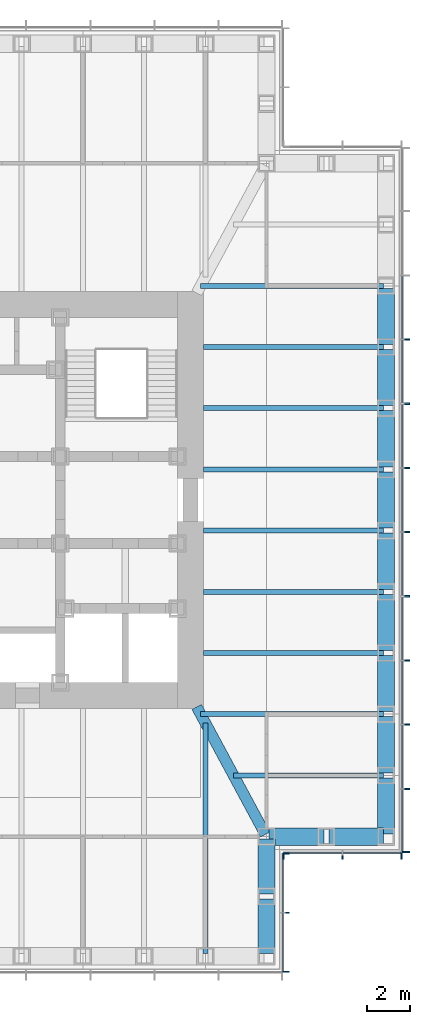
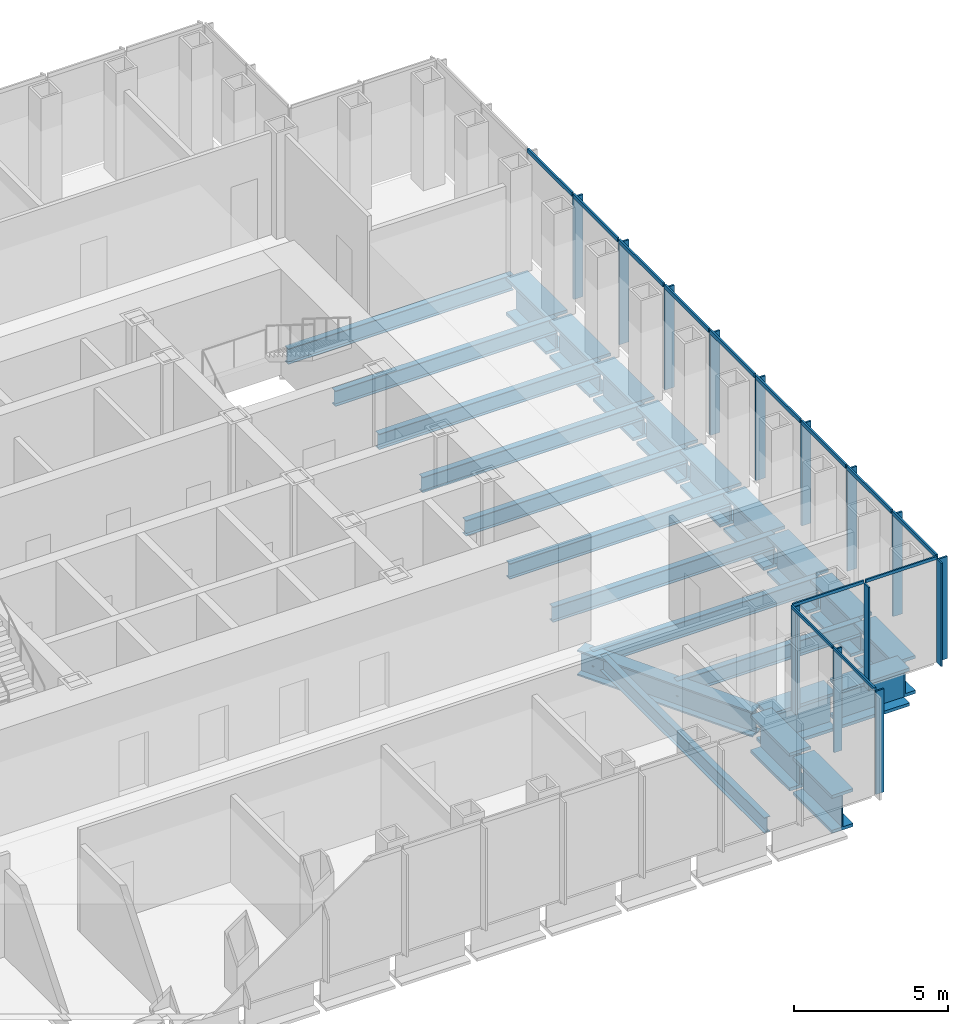
# One storey, part 4 of 16: 28 members, 24 beams, 3 elements without a shape of their own.
"""IFC4 building model written with IfcOpenShell, lengths in metres."""

from ifc_helpers import new_model, si_unit, direction, frame, origin, origin_2d, place, context, subcontext, project, spatial, rectangle, i_section, extrude, material, material_profile, profile_set, type_object, element, aggregate, save


model = new_model("IFC4")

# Units and contexts
model_context = context("Model", 3, precision=1e-05, world=origin(), true_north=direction((0.0, 1.0)))
body_context = subcontext(model_context, "Body", "Model", "MODEL_VIEW")
ifc_project = project(units=[si_unit("LENGTHUNIT", "METRE"), si_unit("AREAUNIT", "SQUARE_METRE"), si_unit("VOLUMEUNIT", "CUBIC_METRE"), si_unit("PLANEANGLEUNIT", "RADIAN"), si_unit("MASSUNIT", "GRAM", prefix="KILO")], contexts=[model_context])

# Site, building, storey
site_placement = place(None, origin())
site = spatial("IfcSite", under=ifc_project, at=site_placement, CompositionType="ELEMENT")
building_placement = place(site_placement, origin())
building = spatial("IfcBuilding", under=site, at=building_placement, Name="Daluyong Arena Tower", CompositionType="ELEMENT")
storey_placement = place(building_placement, frame((0.0, 0.0, 219.10009765625)))
storey = spatial("IfcBuildingStorey", under=building, at=storey_placement, Name="L49", CompositionType="ELEMENT", Elevation=219.10009765625)

# Curtain wall, members
ifc_material_1 = material(Name="Bronze anodised aluminium and glass", Category="aluminium")
curtain_wall_type_1 = type_object("IfcCurtainWallType", Name="Curtain wall CW3", PredefinedType="USERDEFINED", material=ifc_material_1)
curtain_wall_1_placement = place(storey_placement, origin())
curtain_wall_1 = element("IfcCurtainWall", 1, at=curtain_wall_1_placement, inside=storey, type_object=curtain_wall_type_1, Name="curtain wall L49 E", ObjectType="UNITISED CURTAIN WALL", PredefinedType="USERDEFINED")
ifc_material_2 = material(Name="Bronze anodised aluminium fin", Category="aluminium")
ifc_material_profile_1 = material_profile(ifc_material_2, rectangle(XDim=0.35009765625, YDim=0.070068359375, at=origin_2d()))
ifc_profile_set_1 = profile_set([ifc_material_profile_1], Name="Bronze anodised aluminium fin")
member_type_1 = type_object("IfcMemberType", Name="CW3 bronze fin 350x70", PredefinedType="MULLION", material=ifc_profile_set_1)
member_1_placement = place(storey_placement, frame((77.925048828125, 63.784912109375, 0.0), z_axis=(0.0, 0.0, 1.0), x_axis=(-1.0, 0.0, 0.0)))
member_1 = element("IfcMember", 2, at=member_1_placement, type_object=member_type_1, Name="curtain wall L49 E fin 1", PredefinedType="MULLION", context=body_context, shape_type="SweptSolid", body=[
    extrude(rectangle(XDim=0.35009765625, YDim=0.070068359375, at=origin_2d()), origin(), (0.0, 0.0, 1.0), 4.039794921875),
])
member_2_placement = place(storey_placement, frame((77.925048828125, 66.70458984375, 0.0), z_axis=(0.0, 0.0, 1.0), x_axis=(-1.0, 0.0, 0.0)))
member_2 = element("IfcMember", 3, at=member_2_placement, type_object=member_type_1, Name="curtain wall L49 E fin 2", PredefinedType="MULLION", context=body_context, shape_type="SweptSolid", body=[
    extrude(rectangle(XDim=0.35009765625, YDim=0.070068359375, at=origin_2d()), origin(), (0.0, 0.0, 1.0), 4.039794921875),
])
member_3_placement = place(storey_placement, frame((77.925048828125, 69.6591796875, 0.0), z_axis=(0.0, 0.0, 1.0), x_axis=(-1.0, 0.0, 0.0)))
member_3 = element("IfcMember", 4, at=member_3_placement, type_object=member_type_1, Name="curtain wall L49 E fin 3", PredefinedType="MULLION", context=body_context, shape_type="SweptSolid", body=[
    extrude(rectangle(XDim=0.35009765625, YDim=0.070068359375, at=origin_2d()), origin(), (0.0, 0.0, 1.0), 4.039794921875),
])
member_4_placement = place(storey_placement, frame((77.925048828125, 72.613525390625, 0.0), z_axis=(0.0, 0.0, 1.0), x_axis=(-1.0, 0.0, 0.0)))
member_4 = element("IfcMember", 5, at=member_4_placement, type_object=member_type_1, Name="curtain wall L49 E fin 4", PredefinedType="MULLION", context=body_context, shape_type="SweptSolid", body=[
    extrude(rectangle(XDim=0.35009765625, YDim=0.070068359375, at=origin_2d()), origin(), (0.0, 0.0, 1.0), 4.039794921875),
])
member_5_placement = place(storey_placement, frame((77.925048828125, 75.568115234375, 0.0), z_axis=(0.0, 0.0, 1.0), x_axis=(-1.0, 0.0, 0.0)))
member_5 = element("IfcMember", 6, at=member_5_placement, type_object=member_type_1, Name="curtain wall L49 E fin 5", PredefinedType="MULLION", context=body_context, shape_type="SweptSolid", body=[
    extrude(rectangle(XDim=0.35009765625, YDim=0.070068359375, at=origin_2d()), origin(), (0.0, 0.0, 1.0), 4.039794921875),
])
member_6_placement = place(storey_placement, frame((77.925048828125, 78.522705078125, 0.0), z_axis=(0.0, 0.0, 1.0), x_axis=(-1.0, 0.0, 0.0)))
member_6 = element("IfcMember", 7, at=member_6_placement, type_object=member_type_1, Name="curtain wall L49 E fin 6", PredefinedType="MULLION", context=body_context, shape_type="SweptSolid", body=[
    extrude(rectangle(XDim=0.35009765625, YDim=0.070068359375, at=origin_2d()), origin(), (0.0, 0.0, 1.0), 4.039794921875),
])
member_7_placement = place(storey_placement, frame((77.925048828125, 81.477294921875, 0.0), z_axis=(0.0, 0.0, 1.0), x_axis=(-1.0, 0.0, 0.0)))
member_7 = element("IfcMember", 8, at=member_7_placement, type_object=member_type_1, Name="curtain wall L49 E fin 7", PredefinedType="MULLION", context=body_context, shape_type="SweptSolid", body=[
    extrude(rectangle(XDim=0.35009765625, YDim=0.070068359375, at=origin_2d()), origin(), (0.0, 0.0, 1.0), 4.039794921875),
])
member_8_placement = place(storey_placement, frame((77.925048828125, 84.431884765625, 0.0), z_axis=(0.0, 0.0, 1.0), x_axis=(-1.0, 0.0, 0.0)))
member_8 = element("IfcMember", 9, at=member_8_placement, type_object=member_type_1, Name="curtain wall L49 E fin 8", PredefinedType="MULLION", context=body_context, shape_type="SweptSolid", body=[
    extrude(rectangle(XDim=0.35009765625, YDim=0.070068359375, at=origin_2d()), origin(), (0.0, 0.0, 1.0), 4.039794921875),
])
member_9_placement = place(storey_placement, frame((77.925048828125, 87.386474609375, 0.0), z_axis=(0.0, 0.0, 1.0), x_axis=(-1.0, 0.0, 0.0)))
member_9 = element("IfcMember", 10, at=member_9_placement, type_object=member_type_1, Name="curtain wall L49 E fin 9", PredefinedType="MULLION", context=body_context, shape_type="SweptSolid", body=[
    extrude(rectangle(XDim=0.35009765625, YDim=0.070068359375, at=origin_2d()), origin(), (0.0, 0.0, 1.0), 4.039794921875),
])
ifc_material_3 = material(Name="Bronze anodised aluminium", Category="aluminium")
ifc_material_profile_2 = material_profile(ifc_material_3, rectangle(XDim=0.070068359375, YDim=0.159912109375, at=origin_2d()))
ifc_profile_set_2 = profile_set([ifc_material_profile_2], Name="Bronze anodised aluminium")
member_type_2 = type_object("IfcMemberType", Name="CW3 stack transom 160x70", PredefinedType="USERDEFINED", material=ifc_profile_set_2)
member_10_placement = place(storey_placement, frame((77.75, 63.820068359375, 4.119873046875), z_axis=(0.0, 1.0, 0.0), x_axis=(-1.0, 0.0, 0.0)))
member_10 = element("IfcMember", 11, at=member_10_placement, type_object=member_type_2, Name="curtain wall L49 E transom 1", ObjectType="TRANSOM", PredefinedType="USERDEFINED", context=body_context, shape_type="SweptSolid", body=[
    extrude(rectangle(XDim=0.070068359375, YDim=0.159912109375, at=origin_2d()), origin(), (0.0, 0.0, 1.0), 2.849365234375),
])
member_11_placement = place(storey_placement, frame((77.75, 66.739501953125, 4.119873046875), z_axis=(0.0, 1.0, 0.0), x_axis=(-1.0, 0.0, 0.0)))
member_11 = element("IfcMember", 12, at=member_11_placement, type_object=member_type_2, Name="curtain wall L49 E transom 2", ObjectType="TRANSOM", PredefinedType="USERDEFINED", context=body_context, shape_type="SweptSolid", body=[
    extrude(rectangle(XDim=0.070068359375, YDim=0.159912109375, at=origin_2d()), origin(), (0.0, 0.0, 1.0), 2.884521484375),
])
member_12_placement = place(storey_placement, frame((77.75, 69.694091796875, 4.119873046875), z_axis=(0.0, 1.0, 0.0), x_axis=(-1.0, 0.0, 0.0)))
member_12 = element("IfcMember", 13, at=member_12_placement, type_object=member_type_2, Name="curtain wall L49 E transom 3", ObjectType="TRANSOM", PredefinedType="USERDEFINED", context=body_context, shape_type="SweptSolid", body=[
    extrude(rectangle(XDim=0.070068359375, YDim=0.159912109375, at=origin_2d()), origin(), (0.0, 0.0, 1.0), 2.884521484375),
])
member_13_placement = place(storey_placement, frame((77.75, 72.648681640625, 4.119873046875), z_axis=(0.0, 1.0, 0.0), x_axis=(-1.0, 0.0, 0.0)))
member_13 = element("IfcMember", 14, at=member_13_placement, type_object=member_type_2, Name="curtain wall L49 E transom 4", ObjectType="TRANSOM", PredefinedType="USERDEFINED", context=body_context, shape_type="SweptSolid", body=[
    extrude(rectangle(XDim=0.070068359375, YDim=0.159912109375, at=origin_2d()), origin(), (0.0, 0.0, 1.0), 2.884521484375),
])
member_14_placement = place(storey_placement, frame((77.75, 75.603271484375, 4.119873046875), z_axis=(0.0, 1.0, 0.0), x_axis=(-1.0, 0.0, 0.0)))
member_14 = element("IfcMember", 15, at=member_14_placement, type_object=member_type_2, Name="curtain wall L49 E transom 5", ObjectType="TRANSOM", PredefinedType="USERDEFINED", context=body_context, shape_type="SweptSolid", body=[
    extrude(rectangle(XDim=0.070068359375, YDim=0.159912109375, at=origin_2d()), origin(), (0.0, 0.0, 1.0), 2.884521484375),
])
member_15_placement = place(storey_placement, frame((77.75, 78.5576171875, 4.119873046875), z_axis=(0.0, 1.0, 0.0), x_axis=(-1.0, 0.0, 0.0)))
member_15 = element("IfcMember", 16, at=member_15_placement, type_object=member_type_2, Name="curtain wall L49 E transom 6", ObjectType="TRANSOM", PredefinedType="USERDEFINED", context=body_context, shape_type="SweptSolid", body=[
    extrude(rectangle(XDim=0.070068359375, YDim=0.159912109375, at=origin_2d()), origin(), (0.0, 0.0, 1.0), 2.884765625),
])
member_16_placement = place(storey_placement, frame((77.75, 81.51220703125, 4.119873046875), z_axis=(0.0, 1.0, 0.0), x_axis=(-1.0, 0.0, 0.0)))
member_16 = element("IfcMember", 17, at=member_16_placement, type_object=member_type_2, Name="curtain wall L49 E transom 7", ObjectType="TRANSOM", PredefinedType="USERDEFINED", context=body_context, shape_type="SweptSolid", body=[
    extrude(rectangle(XDim=0.070068359375, YDim=0.159912109375, at=origin_2d()), origin(), (0.0, 0.0, 1.0), 2.884521484375),
])
member_17_placement = place(storey_placement, frame((77.75, 84.466796875, 4.119873046875), z_axis=(0.0, 1.0, 0.0), x_axis=(-1.0, 0.0, 0.0)))
member_17 = element("IfcMember", 18, at=member_17_placement, type_object=member_type_2, Name="curtain wall L49 E transom 8", ObjectType="TRANSOM", PredefinedType="USERDEFINED", context=body_context, shape_type="SweptSolid", body=[
    extrude(rectangle(XDim=0.070068359375, YDim=0.159912109375, at=origin_2d()), origin(), (0.0, 0.0, 1.0), 2.884521484375),
])
member_18_placement = place(storey_placement, frame((77.75, 87.42138671875, 4.119873046875), z_axis=(0.0, 1.0, 0.0), x_axis=(-1.0, 0.0, 0.0)))
member_18 = element("IfcMember", 19, at=member_18_placement, type_object=member_type_2, Name="curtain wall L49 E transom 9", ObjectType="TRANSOM", PredefinedType="USERDEFINED", context=body_context, shape_type="SweptSolid", body=[
    extrude(rectangle(XDim=0.070068359375, YDim=0.159912109375, at=origin_2d()), origin(), (0.0, 0.0, 1.0), 2.884521484375),
])
aggregate(curtain_wall_1, [member_1, member_2, member_3, member_4, member_5, member_6, member_7, member_8, member_9, member_10, member_11, member_12, member_13, member_14, member_15, member_16, member_17, member_18])

ifc_material_4 = material(Name="Bronze anodised aluminium and glass", Category="aluminium")
curtain_wall_type_2 = type_object("IfcCurtainWallType", Name="Curtain wall CW7", PredefinedType="USERDEFINED", material=ifc_material_4)
curtain_wall_2_placement = place(storey_placement, origin())
curtain_wall_2 = element("IfcCurtainWall", 20, at=curtain_wall_2_placement, inside=storey, type_object=curtain_wall_type_2, Name="curtain wall L49 SE-E", ObjectType="UNITISED CURTAIN WALL", PredefinedType="USERDEFINED")
ifc_material_5 = material(Name="Bronze anodised aluminium fin", Category="aluminium")
ifc_material_profile_3 = material_profile(ifc_material_5, rectangle(XDim=0.300048828125, YDim=0.06005859375, at=origin_2d()))
ifc_profile_set_3 = profile_set([ifc_material_profile_3], Name="Bronze anodised aluminium fin")
member_type_3 = type_object("IfcMemberType", Name="CW7 bronze fin 300x60", PredefinedType="MULLION", material=ifc_profile_set_3)
member_19_placement = place(storey_placement, frame((72.39990234375, 58.280029296875, 0.0), z_axis=(0.0, 0.0, 1.0), x_axis=(-1.0, 0.0, 0.0)))
member_19 = element("IfcMember", 21, at=member_19_placement, type_object=member_type_3, Name="curtain wall L49 SE-E fin 1", PredefinedType="MULLION", context=body_context, shape_type="SweptSolid", body=[
    extrude(rectangle(XDim=0.300048828125, YDim=0.06005859375, at=origin_2d()), origin(), (0.0, 0.0, 1.0), 4.079833984375),
])
member_20_placement = place(storey_placement, frame((72.39990234375, 61.0, 0.0), z_axis=(0.0, 0.0, 1.0), x_axis=(-1.0, 0.0, 0.0)))
member_20 = element("IfcMember", 22, at=member_20_placement, type_object=member_type_3, Name="curtain wall L49 SE-E fin 2", PredefinedType="MULLION", context=body_context, shape_type="SweptSolid", body=[
    extrude(rectangle(XDim=0.300048828125, YDim=0.06005859375, at=origin_2d()), origin(), (0.0, 0.0, 1.0), 4.079833984375),
])
member_21_placement = place(storey_placement, frame((72.39990234375, 63.719970703125, 0.0), z_axis=(0.0, 0.0, 1.0), x_axis=(-1.0, 0.0, 0.0)))
member_21 = element("IfcMember", 23, at=member_21_placement, type_object=member_type_3, Name="curtain wall L49 SE-E fin 3", PredefinedType="MULLION", context=body_context, shape_type="SweptSolid", body=[
    extrude(rectangle(XDim=0.300048828125, YDim=0.06005859375, at=origin_2d()), origin(), (0.0, 0.0, 1.0), 4.079833984375),
])

curtain_wall_3_placement = place(storey_placement, origin())
curtain_wall_3 = element("IfcCurtainWall", 24, at=curtain_wall_3_placement, inside=storey, type_object=curtain_wall_type_2, Name="curtain wall L49 SE-S", ObjectType="UNITISED CURTAIN WALL", PredefinedType="USERDEFINED")
member_22_placement = place(storey_placement, frame((72.280029296875, 63.60009765625, 0.0), z_axis=(0.0, 0.0, 1.0), x_axis=(0.0, 1.0, 0.0)))
member_22 = element("IfcMember", 25, at=member_22_placement, type_object=member_type_3, Name="curtain wall L49 SE-S fin 1", PredefinedType="MULLION", context=body_context, shape_type="SweptSolid", body=[
    extrude(rectangle(XDim=0.300048828125, YDim=0.06005859375, at=origin_2d()), origin(), (0.0, 0.0, 1.0), 4.079833984375),
])
member_23_placement = place(storey_placement, frame((75.0, 63.60009765625, 0.0), z_axis=(0.0, 0.0, 1.0), x_axis=(0.0, 1.0, 0.0)))
member_23 = element("IfcMember", 26, at=member_23_placement, type_object=member_type_3, Name="curtain wall L49 SE-S fin 2", PredefinedType="MULLION", context=body_context, shape_type="SweptSolid", body=[
    extrude(rectangle(XDim=0.300048828125, YDim=0.06005859375, at=origin_2d()), origin(), (0.0, 0.0, 1.0), 4.079833984375),
])
member_24_placement = place(storey_placement, frame((77.719970703125, 63.60009765625, 0.0), z_axis=(0.0, 0.0, 1.0), x_axis=(0.0, 1.0, 0.0)))
member_24 = element("IfcMember", 27, at=member_24_placement, type_object=member_type_3, Name="curtain wall L49 SE-S fin 3", PredefinedType="MULLION", context=body_context, shape_type="SweptSolid", body=[
    extrude(rectangle(XDim=0.300048828125, YDim=0.06005859375, at=origin_2d()), origin(), (0.0, 0.0, 1.0), 4.079833984375),
])

# Member
ifc_material_6 = material(Name="Bronze anodised aluminium", Category="aluminium")
ifc_material_profile_4 = material_profile(ifc_material_6, rectangle(XDim=0.06005859375, YDim=0.1201171875, at=origin_2d()))
ifc_profile_set_4 = profile_set([ifc_material_profile_4], Name="Bronze anodised aluminium")
member_type_4 = type_object("IfcMemberType", Name="CW7 stack transom 120x60", PredefinedType="USERDEFINED", material=ifc_profile_set_4)
member_25_placement = place(storey_placement, frame((72.25, 58.31005859375, 4.139892578125), z_axis=(0.0, 1.0, 0.0), x_axis=(-1.0, 0.0, 0.0)))
member_25 = element("IfcMember", 28, at=member_25_placement, type_object=member_type_4, Name="curtain wall L49 SE-E transom 1", ObjectType="TRANSOM", PredefinedType="USERDEFINED", context=body_context, shape_type="SweptSolid", body=[
    extrude(rectangle(XDim=0.06005859375, YDim=0.1201171875, at=origin_2d()), origin(), (0.0, 0.0, 1.0), 2.659912109375),
])

member_26_placement = place(storey_placement, frame((72.25, 61.030029296875, 4.139892578125), z_axis=(0.0, 1.0, 0.0), x_axis=(-1.0, 0.0, 0.0)))
member_26 = element("IfcMember", 29, at=member_26_placement, type_object=member_type_4, Name="curtain wall L49 SE-E transom 2", ObjectType="TRANSOM", PredefinedType="USERDEFINED", context=body_context, shape_type="SweptSolid", body=[
    extrude(rectangle(XDim=0.06005859375, YDim=0.1201171875, at=origin_2d()), origin(), (0.0, 0.0, 1.0), 2.659912109375),
])

aggregate(curtain_wall_2, [member_19, member_20, member_21, member_25, member_26])

member_27_placement = place(storey_placement, frame((72.31005859375, 63.75, 4.139892578125), z_axis=(1.0, 0.0, 0.0), x_axis=(0.0, 1.0, 0.0)))
member_27 = element("IfcMember", 30, at=member_27_placement, type_object=member_type_4, Name="curtain wall L49 SE-S transom 1", ObjectType="TRANSOM", PredefinedType="USERDEFINED", context=body_context, shape_type="SweptSolid", body=[
    extrude(rectangle(XDim=0.06005859375, YDim=0.1201171875, at=origin_2d()), origin(), (0.0, 0.0, 1.0), 2.659912109375),
])

member_28_placement = place(storey_placement, frame((75.030029296875, 63.75, 4.139892578125), z_axis=(1.0, 0.0, 0.0), x_axis=(0.0, 1.0, 0.0)))
member_28 = element("IfcMember", 31, at=member_28_placement, type_object=member_type_4, Name="curtain wall L49 SE-S transom 2", ObjectType="TRANSOM", PredefinedType="USERDEFINED", context=body_context, shape_type="SweptSolid", body=[
    extrude(rectangle(XDim=0.06005859375, YDim=0.1201171875, at=origin_2d()), origin(), (0.0, 0.0, 1.0), 2.659912109375),
])

aggregate(curtain_wall_3, [member_22, member_23, member_24, member_27, member_28])

# Beams
ifc_material_7 = material(Name="Steel ASTM A572 Grade 50", Category="steel")
ifc_material_profile_5 = material_profile(ifc_material_7, i_section(OverallWidth=0.5, OverallDepth=1.0, WebThickness=0.03, FlangeThickness=0.06, at=origin_2d()))
ifc_profile_set_5 = profile_set([ifc_material_profile_5], Name="Steel ASTM A572 Grade 50")
beam_type_1 = type_object("IfcBeamType", Name="Corner girder TB1000X500", PredefinedType="BEAM", material=ifc_profile_set_5)
beam_1_placement = place(storey_placement, frame((71.445556640625, 64.601318359375, -0.66015625), z_axis=(-0.474119475266, 0.880460517669, 0.0), x_axis=(-0.880460517669, -0.474119475266, 0.0)))
element("IfcBeam", 32, at=beam_1_placement, inside=storey, type_object=beam_type_1, Name="corner girder DG2", PredefinedType="BEAM", context=body_context, shape_type="SweptSolid", body=[
    extrude(i_section(OverallWidth=0.5, OverallDepth=1.0, WebThickness=0.03, FlangeThickness=0.06, at=origin_2d()), origin(), (0.0, 0.0, 1.0), 6.66748046875),
])
ifc_material_8 = material(Name="Steel ASTM A992 Grade 50", Category="steel")
ifc_material_profile_6 = material_profile(ifc_material_8, i_section(OverallWidth=0.22900390625, OverallDepth=0.612060546875, WebThickness=0.011962890625, FlangeThickness=0.01953125, at=origin_2d()))
ifc_profile_set_6 = profile_set([ifc_material_profile_6], Name="Steel ASTM A992 Grade 50")
beam_type_2 = type_object("IfcBeamType", Name="Floor beam W24X84", PredefinedType="BEAM", material=ifc_profile_set_6)
beam_2_placement = place(storey_placement, frame((68.681884765625, 59.114990234375, -0.466064453125), z_axis=(0.0, 1.0, 0.0), x_axis=(-1.0, 0.0, 0.0)))
element("IfcBeam", 33, at=beam_2_placement, inside=storey, type_object=beam_type_2, Name="floor beam FB3", PredefinedType="BEAM", context=body_context, shape_type="SweptSolid", body=[
    extrude(i_section(OverallWidth=0.22900390625, OverallDepth=0.612060546875, WebThickness=0.011962890625, FlangeThickness=0.01953125, at=origin_2d()), origin(), (0.0, 0.0, 1.0), 10.618896484375),
])
beam_3_placement = place(storey_placement, frame((76.885009765625, 67.318115234375, -0.466064453125), z_axis=(-1.0, 0.0, 0.0), x_axis=(0.0, -1.0, 0.0)))
element("IfcBeam", 34, at=beam_3_placement, inside=storey, type_object=beam_type_2, Name="floor beam FB3", PredefinedType="BEAM", context=body_context, shape_type="SweptSolid", body=[
    extrude(i_section(OverallWidth=0.22900390625, OverallDepth=0.612060546875, WebThickness=0.011962890625, FlangeThickness=0.01953125, at=origin_2d()), origin(), (0.0, 0.0, 1.0), 6.902587890625),
])
beam_4_placement = place(storey_placement, frame((76.885009765625, 70.136474609375, -0.466064453125), z_axis=(-1.0, 0.0, 0.0), x_axis=(0.0, -1.0, 0.0)))
element("IfcBeam", 35, at=beam_4_placement, inside=storey, type_object=beam_type_2, Name="floor beam FB3", PredefinedType="BEAM", context=body_context, shape_type="SweptSolid", body=[
    extrude(i_section(OverallWidth=0.22900390625, OverallDepth=0.612060546875, WebThickness=0.011962890625, FlangeThickness=0.01953125, at=origin_2d()), origin(), (0.0, 0.0, 1.0), 8.419921875),
])
for number, where, z_axis, x_axis, name in (
    (36, (76.885009765625, 72.95458984375, -0.466064453125), (-1.0, 0.0, 0.0), (0.0, -1.0, 0.0), "floor beam FB3"),
    (37, (76.885009765625, 75.772705078125, -0.466064453125), (-1.0, 0.0, 0.0), (0.0, -1.0, 0.0), "floor beam FB3"),
    (38, (76.885009765625, 78.5908203125, -0.466064453125), (-1.0, 0.0, 0.0), (0.0, -1.0, 0.0), "floor beam FB3"),
    (39, (76.885009765625, 81.4091796875, -0.466064453125), (-1.0, 0.0, 0.0), (0.0, -1.0, 0.0), "floor beam FB3"),
    (40, (76.885009765625, 84.227294921875, -0.466064453125), (-1.0, 0.0, 0.0), (0.0, -1.0, 0.0), "floor beam FB3"),
    (41, (76.885009765625, 87.04541015625, -0.466064453125), (-1.0, 0.0, 0.0), (0.0, -1.0, 0.0), "floor beam FB3"),
):
    element("IfcBeam", number, at=place(storey_placement, frame(where, z_axis=z_axis, x_axis=x_axis)), inside=storey, type_object=beam_type_2, Name=name, PredefinedType="BEAM", context=body_context, shape_type="SweptSolid", body=[
        extrude(i_section(OverallWidth=0.22900390625, OverallDepth=0.612060546875, WebThickness=0.011962890625, FlangeThickness=0.01953125, at=origin_2d()), origin(), (0.0, 0.0, 1.0), 8.284912109375),
    ])
beam_5_placement = place(storey_placement, frame((76.885009765625, 89.863525390625, -0.466064453125), z_axis=(-1.0, 0.0, 0.0), x_axis=(0.0, -1.0, 0.0)))
element("IfcBeam", 42, at=beam_5_placement, inside=storey, type_object=beam_type_2, Name="floor beam FB3", PredefinedType="BEAM", context=body_context, shape_type="SweptSolid", body=[
    extrude(i_section(OverallWidth=0.22900390625, OverallDepth=0.612060546875, WebThickness=0.011962890625, FlangeThickness=0.01953125, at=origin_2d()), origin(), (0.0, 0.0, 1.0), 8.419921875),
])
ifc_material_9 = material(Name="Steel ASTM A588 Grade 50", Category="steel")
ifc_material_profile_7 = material_profile(ifc_material_9, i_section(OverallWidth=0.800048828125, OverallDepth=1.5, WebThickness=0.05, FlangeThickness=0.12, at=origin_2d()))
ifc_profile_set_7 = profile_set([ifc_material_profile_7], Name="Steel ASTM A588 Grade 50")
beam_type_3 = type_object("IfcBeamType", Name="Spandrel Z3 PG1500X800", PredefinedType="SPANDREL", material=ifc_profile_set_7)
for number, where, z_axis, x_axis, name in (
    (43, (71.5, 59.114990234375, -0.91015625), (0.0, 1.0, 0.0), (-1.0, 0.0, 0.0), "spandrel z3 SB7"),
    (44, (71.5, 61.864990234375, -0.91015625), (0.0, 1.0, 0.0), (-1.0, 0.0, 0.0), "spandrel z3 SB7"),
    (45, (71.614990234375, 64.5, -0.91015625), (1.0, 0.0, 0.0), (0.0, 1.0, 0.0), "spandrel z3 SB7"),
    (46, (74.364990234375, 64.5, -0.91015625), (1.0, 0.0, 0.0), (0.0, 1.0, 0.0), "spandrel z3 SB7"),
):
    element("IfcBeam", number, at=place(storey_placement, frame(where, z_axis=z_axis, x_axis=x_axis)), inside=storey, type_object=beam_type_3, Name=name, PredefinedType="SPANDREL", context=body_context, shape_type="SweptSolid", body=[
        extrude(i_section(OverallWidth=0.800048828125, OverallDepth=1.5, WebThickness=0.05, FlangeThickness=0.12, at=origin_2d()), origin(), (0.0, 0.0, 1.0), 2.52001953125),
    ])
beam_6_placement = place(storey_placement, frame((77.0, 64.614990234375, -0.91015625), z_axis=(0.0, 1.0, 0.0), x_axis=(-1.0, 0.0, 0.0)))
element("IfcBeam", 47, at=beam_6_placement, inside=storey, type_object=beam_type_3, Name="spandrel z3 SB7", PredefinedType="SPANDREL", context=body_context, shape_type="SweptSolid", body=[
    extrude(i_section(OverallWidth=0.800048828125, OverallDepth=1.5, WebThickness=0.05, FlangeThickness=0.12, at=origin_2d()), origin(), (0.0, 0.0, 1.0), 2.588134765625),
])
beam_7_placement = place(storey_placement, frame((77.0, 67.43310546875, -0.91015625), z_axis=(0.0, 1.0, 0.0), x_axis=(-1.0, 0.0, 0.0)))
element("IfcBeam", 48, at=beam_7_placement, inside=storey, type_object=beam_type_3, Name="spandrel z3 SB7", PredefinedType="SPANDREL", context=body_context, shape_type="SweptSolid", body=[
    extrude(i_section(OverallWidth=0.800048828125, OverallDepth=1.5, WebThickness=0.05, FlangeThickness=0.12, at=origin_2d()), origin(), (0.0, 0.0, 1.0), 2.58837890625),
])
for number, where, z_axis, x_axis, name in (
    (49, (77.0, 70.25146484375, -0.91015625), (0.0, 1.0, 0.0), (-1.0, 0.0, 0.0), "spandrel z3 SB7"),
    (50, (77.0, 73.069580078125, -0.91015625), (0.0, 1.0, 0.0), (-1.0, 0.0, 0.0), "spandrel z3 SB7"),
    (51, (77.0, 75.8876953125, -0.91015625), (0.0, 1.0, 0.0), (-1.0, 0.0, 0.0), "spandrel z3 SB7"),
):
    element("IfcBeam", number, at=place(storey_placement, frame(where, z_axis=z_axis, x_axis=x_axis)), inside=storey, type_object=beam_type_3, Name=name, PredefinedType="SPANDREL", context=body_context, shape_type="SweptSolid", body=[
        extrude(i_section(OverallWidth=0.800048828125, OverallDepth=1.5, WebThickness=0.05, FlangeThickness=0.12, at=origin_2d()), origin(), (0.0, 0.0, 1.0), 2.588134765625),
    ])
beam_8_placement = place(storey_placement, frame((77.0, 78.705810546875, -0.91015625), z_axis=(0.0, 1.0, 0.0), x_axis=(-1.0, 0.0, 0.0)))
element("IfcBeam", 52, at=beam_8_placement, inside=storey, type_object=beam_type_3, Name="spandrel z3 SB7", PredefinedType="SPANDREL", context=body_context, shape_type="SweptSolid", body=[
    extrude(i_section(OverallWidth=0.800048828125, OverallDepth=1.5, WebThickness=0.05, FlangeThickness=0.12, at=origin_2d()), origin(), (0.0, 0.0, 1.0), 2.58837890625),
])
for number, where, z_axis, x_axis, name in (
    (53, (77.0, 81.524169921875, -0.91015625), (0.0, 1.0, 0.0), (-1.0, 0.0, 0.0), "spandrel z3 SB7"),
    (54, (77.0, 84.34228515625, -0.91015625), (0.0, 1.0, 0.0), (-1.0, 0.0, 0.0), "spandrel z3 SB7"),
    (55, (77.0, 87.160400390625, -0.91015625), (0.0, 1.0, 0.0), (-1.0, 0.0, 0.0), "spandrel z3 SB7"),
):
    element("IfcBeam", number, at=place(storey_placement, frame(where, z_axis=z_axis, x_axis=x_axis)), inside=storey, type_object=beam_type_3, Name=name, PredefinedType="SPANDREL", context=body_context, shape_type="SweptSolid", body=[
        extrude(i_section(OverallWidth=0.800048828125, OverallDepth=1.5, WebThickness=0.05, FlangeThickness=0.12, at=origin_2d()), origin(), (0.0, 0.0, 1.0), 2.588134765625),
    ])

save(model, "model.ifc")
